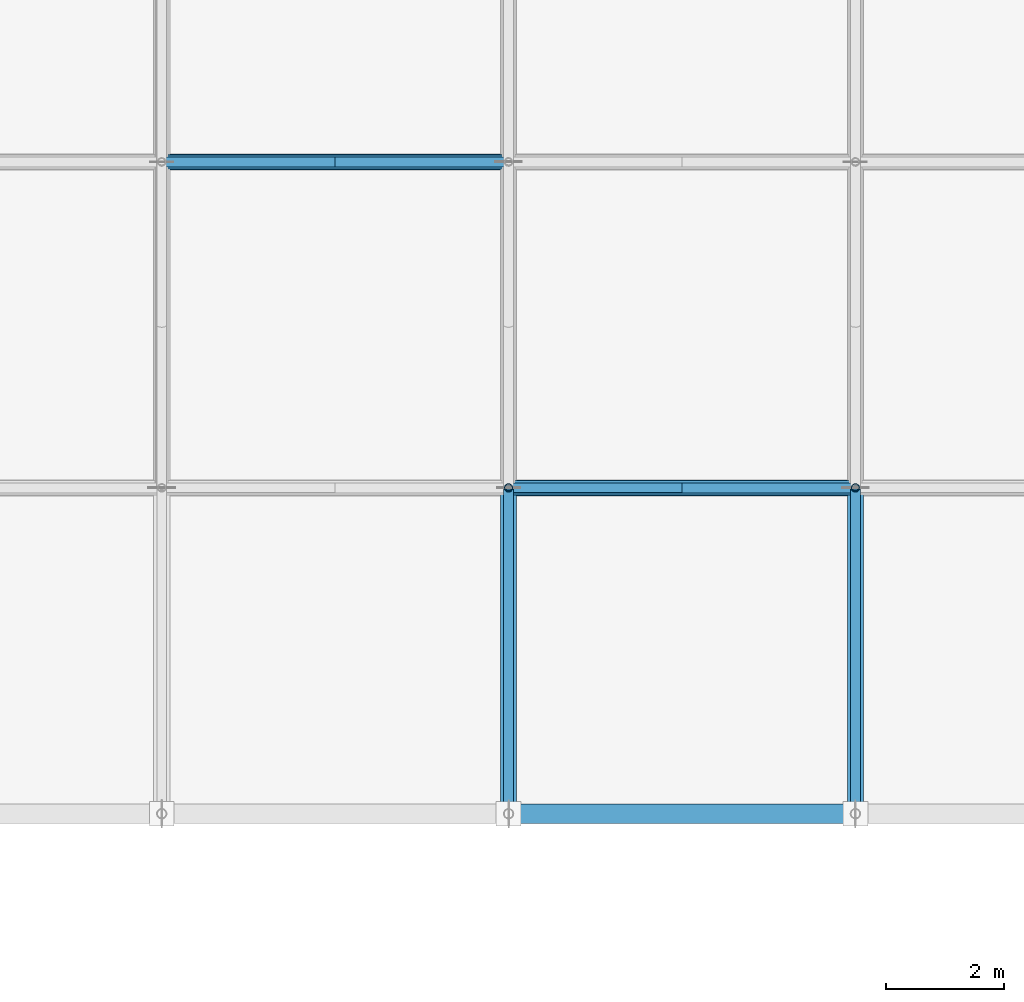
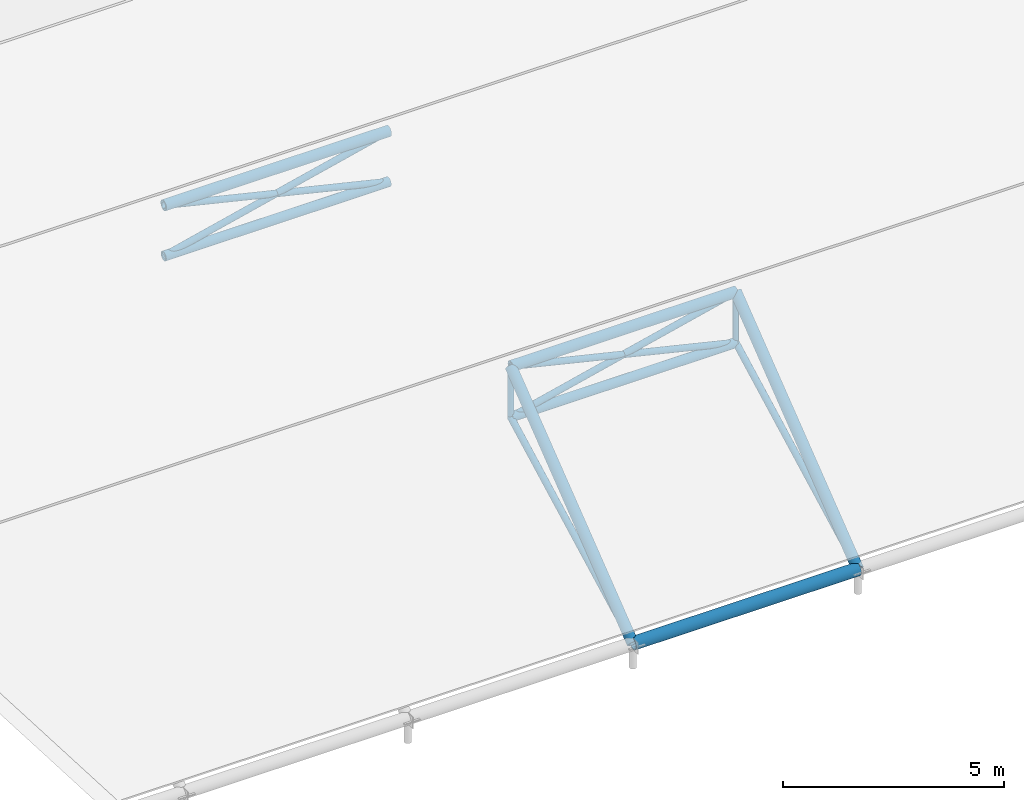
# One storey, part 4 of 82: 15 members.
"""IFC4 building model written with IfcOpenShell, lengths in metres."""

from ifc_helpers import new_model, si_unit, direction, frame, origin, origin_2d, place, context, subcontext, project, spatial, hollow_circle, extrude, material, material_profile, profile_set, type_object, element, save


model = new_model("IFC4")

# Units and contexts
model_context = context("Model", 3, precision=1e-05, world=origin(), true_north=direction((0.0, 1.0)))
body_context = subcontext(model_context, "Body", "Model", "MODEL_VIEW")
ifc_project = project(units=[si_unit("LENGTHUNIT", "METRE"), si_unit("AREAUNIT", "SQUARE_METRE"), si_unit("VOLUMEUNIT", "CUBIC_METRE"), si_unit("PLANEANGLEUNIT", "RADIAN"), si_unit("MASSUNIT", "GRAM", prefix="KILO")], contexts=[model_context])

# Site, building, storey
site_placement = place(None, origin())
site = spatial("IfcSite", under=ifc_project, at=site_placement, CompositionType="ELEMENT")
building_placement = place(site_placement, origin())
building = spatial("IfcBuilding", under=site, at=building_placement, Name="Bramfleet General Hospital", CompositionType="ELEMENT")
storey_placement = place(building_placement, frame((0.0, 0.0, 34.199951171875)))
storey = spatial("IfcBuildingStorey", under=building, at=storey_placement, Name="Roof", CompositionType="ELEMENT", Elevation=34.199951171875)

# Members
ifc_material = material(Name="Steel S355", Category="steel")
ifc_material_profile_1 = material_profile(ifc_material, hollow_circle(Radius=0.122314453125, WallThickness=0.012451171875, at=origin_2d()), Name="CHS 244.5x12.5")
ifc_profile_set_1 = profile_set([ifc_material_profile_1], Name="Steel S355")
member_type_1 = type_object("IfcMemberType", Name="MEM-SF-BC1", PredefinedType="CHORD", material=ifc_profile_set_1)
for number, where, z_axis, x_axis, name in (
    (1, (68.46435546875, 28.283447265625, -13.402099609375), (1.0, 0.0, 0.0), (0.0, 1.0, 0.0), "Space Frame Bottom Chord X 3-2"),
    (2, (74.335693359375, 22.7666015625, -16.550048828125), (1.0, 0.0, 0.0), (0.0, 1.0, 0.0), "Space Frame Bottom Chord X 4-1"),
):
    element("IfcMember", number, at=place(storey_placement, frame(where, z_axis=z_axis, x_axis=x_axis)), inside=storey, type_object=member_type_1, Name=name, PredefinedType="CHORD", context=body_context, shape_type="SweptSolid", body=[
        extrude(hollow_circle(Radius=0.122314453125, WallThickness=0.012451171875, at=origin_2d()), origin(), (0.0, 0.0, 1.0), 5.871337890625),
    ])
ifc_material_profile_2 = material_profile(ifc_material, hollow_circle(Radius=0.084228515625, WallThickness=0.008056640625, at=origin_2d()), Name="CHS 168.3x8.0")
ifc_profile_set_2 = profile_set([ifc_material_profile_2], Name="Steel S355")
member_type_2 = type_object("IfcMemberType", Name="MEM-SF-DG1", PredefinedType="STRUT", material=ifc_profile_set_2)
for number, where, z_axis, x_axis, name in (
    (3, (68.46435546875, 28.283447265625, -13.402099609375), (0.972732821449, 0.0, 0.231928562443), (0.0, 1.0, 0.0), "Space Frame Web Strut 3-2-E"),
    (4, (74.335693359375, 22.7666015625, -16.550048828125), (0.97272369554, 0.0, 0.231966834127), (0.0, 1.0, 0.0), "Space Frame Web Strut 4-1-E"),
):
    element("IfcMember", number, at=place(storey_placement, frame(where, z_axis=z_axis, x_axis=x_axis)), inside=storey, type_object=member_type_2, Name=name, PredefinedType="STRUT", context=body_context, shape_type="SweptSolid", body=[
        extrude(hollow_circle(Radius=0.084228515625, WallThickness=0.008056640625, at=origin_2d()), origin(), (0.0, 0.0, 1.0), 6.035888671875),
    ])
member_1_placement = place(storey_placement, frame((74.335693359375, 22.7666015625, -16.550048828125), z_axis=(0.0, -0.885154336521, -0.465297539794), x_axis=(1.0, 0.0, 0.0)))
element("IfcMember", 5, at=member_1_placement, inside=storey, type_object=member_type_2, Name="Space Frame Web Strut 4-1-S", PredefinedType="STRUT", context=body_context, shape_type="SweptSolid", body=[
    extrude(hollow_circle(Radius=0.084228515625, WallThickness=0.008056640625, at=origin_2d()), origin(), (0.0, 0.0, 1.0), 6.232421875),
])
for number, where, z_axis, x_axis, name in (
    (6, (74.335693359375, 28.283447265625, -13.402099609375), (-0.972732821449, 0.0, 0.231928562443), (0.0, -1.0, 0.0), "Space Frame Web Strut 4-2-W"),
    (7, (80.20703125, 22.7666015625, -16.550048828125), (-0.97272369554, 0.0, 0.231966834127), (0.0, -1.0, 0.0), "Space Frame Web Strut 5-1-W"),
):
    element("IfcMember", number, at=place(storey_placement, frame(where, z_axis=z_axis, x_axis=x_axis)), inside=storey, type_object=member_type_2, Name=name, PredefinedType="STRUT", context=body_context, shape_type="SweptSolid", body=[
        extrude(hollow_circle(Radius=0.084228515625, WallThickness=0.008056640625, at=origin_2d()), origin(), (0.0, 0.0, 1.0), 6.035888671875),
    ])
member_2_placement = place(storey_placement, frame((80.20703125, 22.7666015625, -16.550048828125), z_axis=(0.0, -0.885154336521, -0.465297539794), x_axis=(1.0, 0.0, 0.0)))
element("IfcMember", 8, at=member_2_placement, inside=storey, type_object=member_type_2, Name="Space Frame Web Strut 5-1-S", PredefinedType="STRUT", context=body_context, shape_type="SweptSolid", body=[
    extrude(hollow_circle(Radius=0.084228515625, WallThickness=0.008056640625, at=origin_2d()), origin(), (0.0, 0.0, 1.0), 6.232421875),
])
ifc_material_profile_3 = material_profile(ifc_material, hollow_circle(Radius=0.06982421875, WallThickness=0.008056640625, at=origin_2d()), Name="CHS 139.7x8.0")
ifc_profile_set_3 = profile_set([ifc_material_profile_3], Name="Steel S355")
member_type_3 = type_object("IfcMemberType", Name="MEM-SF-DG2", PredefinedType="STRUT", material=ifc_profile_set_3)
for number, where, z_axis, x_axis, name in (
    (9, (74.335693359375, 22.7666015625, -16.550048828125), (0.0, 0.0, 1.0), (1.0, 0.0, 0.0), "Space Frame King Strut 4-1"),
    (10, (80.20703125, 22.7666015625, -16.550048828125), (0.0, 0.0, 1.0), (1.0, 0.0, 0.0), "Space Frame King Strut 5-1"),
):
    element("IfcMember", number, at=place(storey_placement, frame(where, z_axis=z_axis, x_axis=x_axis)), inside=storey, type_object=member_type_3, Name=name, PredefinedType="STRUT", context=body_context, shape_type="SweptSolid", body=[
        extrude(hollow_circle(Radius=0.06982421875, WallThickness=0.008056640625, at=origin_2d()), origin(), (0.0, 0.0, 1.0), 1.400146484375),
    ])
ifc_material_profile_4 = material_profile(ifc_material, hollow_circle(Radius=0.161865234375, WallThickness=0.012451171875, at=origin_2d()), Name="CHS 323.9x12.5")
ifc_profile_set_4 = profile_set([ifc_material_profile_4], Name="Steel S355")
member_type_4 = type_object("IfcMemberType", Name="MEM-SF-TC1", PredefinedType="CHORD", material=ifc_profile_set_4)
member_3_placement = place(storey_placement, frame((74.335693359375, 17.25, -19.449951171875), z_axis=(1.0, 0.0, 0.0), x_axis=(0.0, 1.0, 0.0)))
element("IfcMember", 11, at=member_3_placement, inside=storey, type_object=member_type_4, Name="Space Frame Top Chord X 4-0", PredefinedType="CHORD", context=body_context, shape_type="SweptSolid", body=[
    extrude(hollow_circle(Radius=0.161865234375, WallThickness=0.012451171875, at=origin_2d()), origin(), (0.0, 0.0, 1.0), 5.871337890625),
])
ifc_material_profile_5 = material_profile(ifc_material, hollow_circle(Radius=0.136474609375, WallThickness=0.012451171875, at=origin_2d()), Name="CHS 273.0x12.5")
ifc_profile_set_5 = profile_set([ifc_material_profile_5], Name="Steel S355")
member_type_5 = type_object("IfcMemberType", Name="MEM-SF-TC2", PredefinedType="CHORD", material=ifc_profile_set_5)
for number, where, z_axis, x_axis, name in (
    (12, (68.46435546875, 28.283447265625, -12.002197265625), (1.0, 0.0, 0.0), (0.0, 1.0, 0.0), "Space Frame Top Chord X 3-2"),
    (13, (74.335693359375, 22.7666015625, -15.14990234375), (1.0, 0.0, 0.0), (0.0, 1.0, 0.0), "Space Frame Top Chord X 4-1"),
):
    element("IfcMember", number, at=place(storey_placement, frame(where, z_axis=z_axis, x_axis=x_axis)), inside=storey, type_object=member_type_5, Name=name, PredefinedType="CHORD", context=body_context, shape_type="SweptSolid", body=[
        extrude(hollow_circle(Radius=0.136474609375, WallThickness=0.012451171875, at=origin_2d()), origin(), (0.0, 0.0, 1.0), 5.871337890625),
    ])
for number, where, z_axis, x_axis, name in (
    (14, (74.335693359375, 17.25, -19.449951171875), (0.0, 0.788703357865, 0.614773953004), (-1.0, 0.0, 0.0), "Space Frame Top Chord Y 4-0"),
    (15, (80.20703125, 17.25, -19.449951171875), (0.0, 0.788703357865, 0.614773953004), (-1.0, 0.0, 0.0), "Space Frame Top Chord Y 5-0"),
):
    element("IfcMember", number, at=place(storey_placement, frame(where, z_axis=z_axis, x_axis=x_axis)), inside=storey, type_object=member_type_5, Name=name, PredefinedType="CHORD", context=body_context, shape_type="SweptSolid", body=[
        extrude(hollow_circle(Radius=0.136474609375, WallThickness=0.012451171875, at=origin_2d()), origin(), (0.0, 0.0, 1.0), 6.99462890625),
    ])

save(model, "model.ifc")
